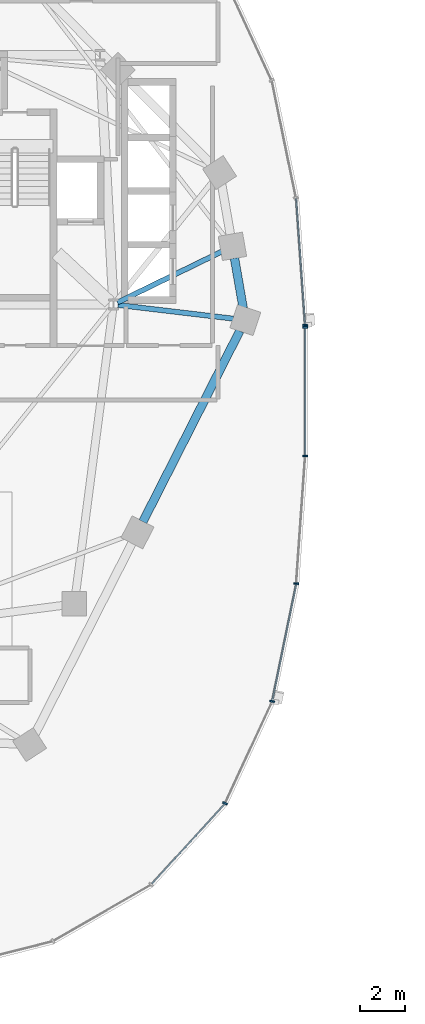
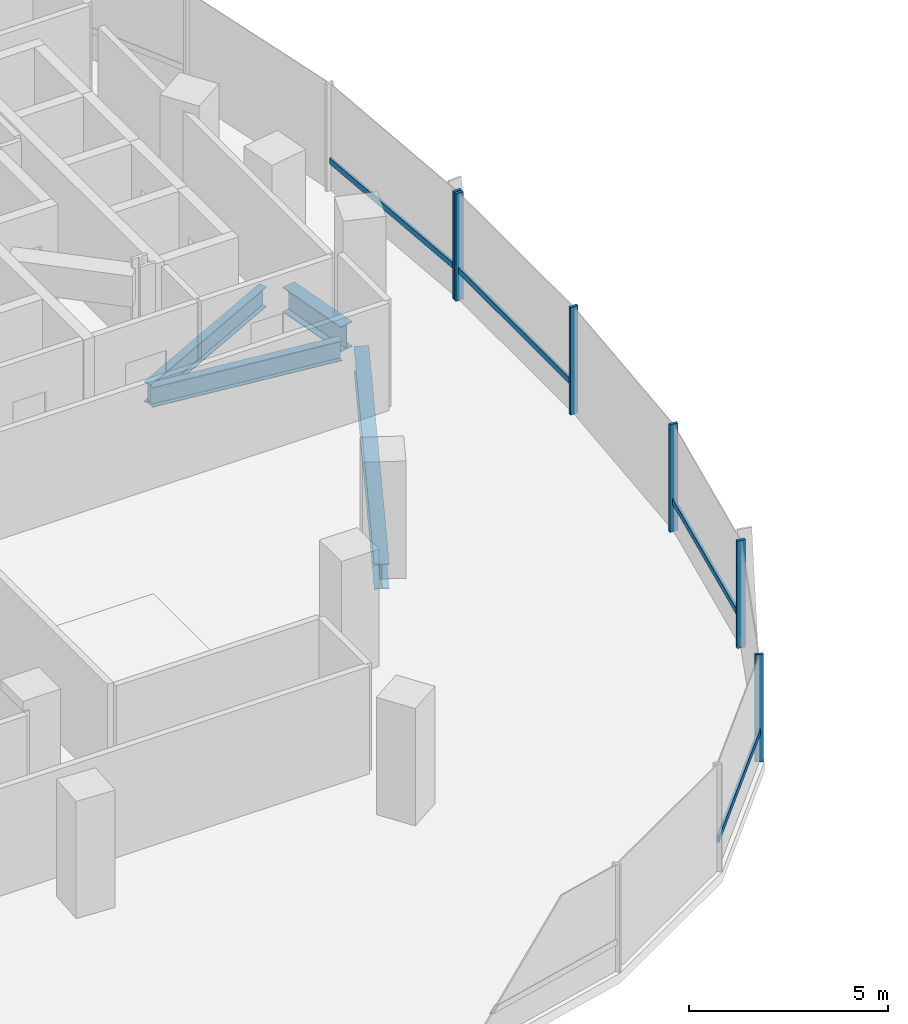
# One storey, part 3 of 21: 10 members, 4 beams, 2 elements without a shape of their own.
"""IFC4 building model written with IfcOpenShell, lengths in metres."""

from ifc_helpers import new_model, si_unit, direction, frame, origin, origin_2d, place, context, subcontext, project, spatial, rectangle, i_section, extrude, material, material_profile, profile_set, type_object, element, aggregate, save


model = new_model("IFC4")

# Units and contexts
model_context = context("Model", 3, precision=1e-05, world=origin(), true_north=direction((0.0, 1.0)))
body_context = subcontext(model_context, "Body", "Model", "MODEL_VIEW")
ifc_project = project(units=[si_unit("LENGTHUNIT", "METRE"), si_unit("AREAUNIT", "SQUARE_METRE"), si_unit("VOLUMEUNIT", "CUBIC_METRE"), si_unit("PLANEANGLEUNIT", "RADIAN"), si_unit("MASSUNIT", "GRAM", prefix="KILO"), si_unit("THERMODYNAMICTEMPERATUREUNIT", "KELVIN"), si_unit("POWERUNIT", "WATT")], contexts=[model_context])

# Site, building, storey
site_placement = place(None, origin())
site = spatial("IfcSite", under=ifc_project, at=site_placement, CompositionType="ELEMENT")
building_placement = place(site_placement, origin())
building = spatial("IfcBuilding", under=site, at=building_placement, Name="Cundina Bronze Exchange", CompositionType="ELEMENT")
storey_placement = place(building_placement, frame((0.0, 0.0, 81.800048828125)))
storey = spatial("IfcBuildingStorey", under=building, at=storey_placement, Name="L20", CompositionType="ELEMENT", Elevation=81.800048828125)

# Beams
ifc_material_1 = material(Name="Steel ASTM A992 Grade 50", Category="steel")
ifc_material_profile_1 = material_profile(ifc_material_1, i_section(OverallWidth=0.22998046875, OverallDepth=0.616943359375, WebThickness=0.01318359375, FlangeThickness=0.022216796875, FilletRadius=0.013916015625, at=origin_2d()), Name="W24X94", Category="steel")
ifc_profile_set_1 = profile_set([ifc_material_profile_1], Name="Steel ASTM A992 Grade 50")
beam_type_1 = type_object("IfcBeamType", Name="BM-FLR-W24B", PredefinedType="BEAM", material=ifc_profile_set_1)
beam_1_placement = place(storey_placement, frame((-21.247314453125, 3.8759765625, -0.608642578125), z_axis=(0.993035701683, -0.117813815752, 0.0), x_axis=(0.117813815752, 0.993035701683, 0.0)))
element("IfcBeam", 1, at=beam_1_placement, inside=storey, type_object=beam_type_1, Name="L20 Leg W Radial Floor Beam 00", PredefinedType="BEAM", context=body_context, shape_type="SweptSolid", body=[
    extrude(i_section(OverallWidth=0.22998046875, OverallDepth=0.616943359375, WebThickness=0.01318359375, FlangeThickness=0.022216796875, FilletRadius=0.013916015625, at=origin_2d()), origin(), (0.0, 0.0, 1.0), 5.19921875),
])
beam_2_placement = place(storey_placement, frame((-21.2666015625, 3.989501953125, -0.608642578125), z_axis=(0.898607246385, 0.438753936443, 0.0), x_axis=(-0.438753936443, 0.898607246385, 0.0)))
element("IfcBeam", 2, at=beam_2_placement, inside=storey, type_object=beam_type_1, Name="L20 Leg W Radial Floor Beam 01", PredefinedType="BEAM", context=body_context, shape_type="SweptSolid", body=[
    extrude(i_section(OverallWidth=0.22998046875, OverallDepth=0.616943359375, WebThickness=0.01318359375, FlangeThickness=0.022216796875, FilletRadius=0.013916015625, at=origin_2d()), origin(), (0.0, 0.0, 1.0), 5.183837890625),
])
ifc_material_profile_2 = material_profile(ifc_material_1, i_section(OverallWidth=0.381103515625, OverallDepth=0.77294921875, WebThickness=0.0166015625, FlangeThickness=0.027099609375, FilletRadius=0.01904296875, at=origin_2d()), Name="W30X173", Category="steel")
ifc_profile_set_2 = profile_set([ifc_material_profile_2], Name="Steel ASTM A992 Grade 50")
beam_type_2 = type_object("IfcBeamType", Name="BM-RING-W30", PredefinedType="USERDEFINED", material=ifc_profile_set_2)
beam_3_placement = place(storey_placement, frame((-15.642333984375, 3.72998046875, -0.6865234375), z_axis=(-0.171690078326, 0.985151012284, 0.0), x_axis=(-0.985151012284, -0.171690078326, 0.0)))
element("IfcBeam", 3, at=beam_3_placement, inside=storey, type_object=beam_type_2, Name="L20 W Perimeter Ring Girder 00", ObjectType="GIRDER", PredefinedType="USERDEFINED", context=body_context, shape_type="SweptSolid", body=[
    extrude(i_section(OverallWidth=0.381103515625, OverallDepth=0.77294921875, WebThickness=0.0166015625, FlangeThickness=0.027099609375, FilletRadius=0.01904296875, at=origin_2d()), origin(), (0.0, 0.0, 1.0), 2.273681640625),
])
beam_4_placement = place(storey_placement, frame((-20.13134765625, -5.8203125, -0.6865234375), z_axis=(0.452832332744, 0.891595692241, 0.0), x_axis=(-0.891595692241, 0.452832332744, 0.0)))
element("IfcBeam", 4, at=beam_4_placement, inside=storey, type_object=beam_type_2, Name="L20 W Perimeter Ring Girder 13", ObjectType="GIRDER", PredefinedType="USERDEFINED", context=body_context, shape_type="SweptSolid", body=[
    extrude(i_section(OverallWidth=0.381103515625, OverallDepth=0.77294921875, WebThickness=0.0166015625, FlangeThickness=0.027099609375, FilletRadius=0.01904296875, at=origin_2d()), origin(), (0.0, 0.0, 1.0), 9.578857421875),
])

# Curtain wall, member
ifc_material_2 = material(Name="Anodised Bronze Aluminium 6063-T6", Category="aluminium")
curtain_wall_type = type_object("IfcCurtainWallType", Name="CWS-TRD-MID", PredefinedType="NOTDEFINED", material=ifc_material_2)
curtain_wall_1_placement = place(storey_placement, origin())
curtain_wall_1 = element("IfcCurtainWall", 5, at=curtain_wall_1_placement, inside=storey, type_object=curtain_wall_type, Name="L20 CW-03 Curtain Wall Run CWR-L20-W1", PredefinedType="NOTDEFINED")
ifc_material_profile_3 = material_profile(ifc_material_2, rectangle(XDim=0.074951171875, YDim=0.219970703125, at=origin_2d()), Name="AL75X220", Category="aluminium")
ifc_profile_set_3 = profile_set([ifc_material_profile_3], Name="Anodised Bronze Aluminium 6063-T6")
member_type_1 = type_object("IfcMemberType", Name="CWM-MUL-220", PredefinedType="MULLION", material=ifc_profile_set_3)
member_1_placement = place(storey_placement, frame((-12.87548828125, 2.976318359375, 0.0), z_axis=(0.0, 0.0, 1.0), x_axis=(-0.070278787473, 0.997527389113, 0.0)))
member_1 = element("IfcMember", 6, at=member_1_placement, type_object=member_type_1, Name="CW-03 Mullion 1", PredefinedType="MULLION", context=body_context, shape_type="SweptSolid", body=[
    extrude(rectangle(XDim=0.074951171875, YDim=0.219970703125, at=origin_2d()), origin(), (0.0, 0.0, 1.0), 3.300048828125),
])

# Curtain wall, members
curtain_wall_2_placement = place(storey_placement, origin())
curtain_wall_2 = element("IfcCurtainWall", 7, at=curtain_wall_2_placement, inside=storey, type_object=curtain_wall_type, Name="L20 CW-03 Curtain Wall Run CWR-L20-W4", PredefinedType="NOTDEFINED")
member_2_placement = place(storey_placement, frame((-16.455810546875, -18.423583984375, 0.0), z_axis=(0.0, 0.0, 1.0), x_axis=(0.42087749791, 0.907117485088, 0.0)))
member_2 = element("IfcMember", 8, at=member_2_placement, type_object=member_type_1, Name="CW-03 Mullion 4", PredefinedType="MULLION", context=body_context, shape_type="SweptSolid", body=[
    extrude(rectangle(XDim=0.074951171875, YDim=0.219970703125, at=origin_2d()), origin(), (0.0, 0.0, 1.0), 3.300048828125),
])
member_3_placement = place(storey_placement, frame((-14.348876953125, -13.861328125, 0.0), z_axis=(0.0, 0.0, 1.0), x_axis=(0.201419845156, 0.979505000486, 0.0)))
member_3 = element("IfcMember", 9, at=member_3_placement, type_object=member_type_1, Name="CW-03 Mullion 5", PredefinedType="MULLION", context=body_context, shape_type="SweptSolid", body=[
    extrude(rectangle(XDim=0.074951171875, YDim=0.219970703125, at=origin_2d()), origin(), (0.0, 0.0, 1.0), 3.300048828125),
])
member_4_placement = place(storey_placement, frame((-13.27099609375, -8.591552734375, 0.0), z_axis=(0.0, 0.0, 1.0), x_axis=(0.070278787473, 0.997527389113, 0.0)))
member_4 = element("IfcMember", 10, at=member_4_placement, type_object=member_type_1, Name="CW-03 Mullion 6", PredefinedType="MULLION", context=body_context, shape_type="SweptSolid", body=[
    extrude(rectangle(XDim=0.074951171875, YDim=0.219970703125, at=origin_2d()), origin(), (0.0, 0.0, 1.0), 3.300048828125),
])
member_5_placement = place(storey_placement, frame((-12.8720703125, -2.880615234375, 0.0), z_axis=(0.0, 0.0, 1.0), x_axis=(0.0, 1.0, 0.0)))
member_5 = element("IfcMember", 11, at=member_5_placement, type_object=member_type_1, Name="CW-03 Mullion 7", PredefinedType="MULLION", context=body_context, shape_type="SweptSolid", body=[
    extrude(rectangle(XDim=0.074951171875, YDim=0.219970703125, at=origin_2d()), origin(), (0.0, 0.0, 1.0), 3.300048828125),
])
member_6_placement = place(storey_placement, frame((-12.8720703125, 2.880615234375, 0.0), z_axis=(0.0, 0.0, 1.0), x_axis=(0.0, 1.0, 0.0)))
member_6 = element("IfcMember", 12, at=member_6_placement, type_object=member_type_1, Name="CW-03 End Mullion", PredefinedType="MULLION", context=body_context, shape_type="SweptSolid", body=[
    extrude(rectangle(XDim=0.074951171875, YDim=0.219970703125, at=origin_2d()), origin(), (0.0, 0.0, 1.0), 3.300048828125),
])

# Member
ifc_material_profile_4 = material_profile(ifc_material_2, rectangle(XDim=0.070068359375, YDim=0.179931640625, at=origin_2d()), Name="AL70X180", Category="aluminium")
ifc_profile_set_4 = profile_set([ifc_material_profile_4], Name="Anodised Bronze Aluminium 6063-T6")
member_type_2 = type_object("IfcMemberType", Name="CWM-TRN-180", PredefinedType="USERDEFINED", material=ifc_profile_set_4)
member_7_placement = place(storey_placement, frame((-12.87841796875, 3.017333984375, 0.919921875), z_axis=(-0.070260714471, 0.997528662246, 0.0), x_axis=(-0.997528662246, -0.070260714471, 0.0)))
member_7 = element("IfcMember", 13, at=member_7_placement, type_object=member_type_2, Name="CW-03 Spandrel Transom 1", ObjectType="TRANSOM", PredefinedType="USERDEFINED", context=body_context, shape_type="SweptSolid", body=[
    extrude(rectangle(XDim=0.070068359375, YDim=0.179931640625, at=origin_2d()), origin(), (0.0, 0.0, 1.0), 5.629150390625),
])

aggregate(curtain_wall_1, [member_1, member_7])

member_8_placement = place(storey_placement, frame((-19.73291015625, -22.027099609375, 0.919921875), z_axis=(0.674302794847, 0.738454968743, 0.0), x_axis=(-0.738454968743, 0.674302794847, 0.0)))
member_8 = element("IfcMember", 14, at=member_8_placement, type_object=member_type_2, Name="CW-03 Spandrel Transom 3", ObjectType="TRANSOM", PredefinedType="USERDEFINED", context=body_context, shape_type="SweptSolid", body=[
    extrude(rectangle(XDim=0.070068359375, YDim=0.179931640625, at=origin_2d()), origin(), (0.0, 0.0, 1.0), 4.848388671875),
])

member_9_placement = place(storey_placement, frame((-14.340576171875, -13.821044921875, 0.919921875), z_axis=(0.201427712708, 0.979503382615, 0.0), x_axis=(-0.979503382615, 0.201427712708, 0.0)))
member_9 = element("IfcMember", 15, at=member_9_placement, type_object=member_type_2, Name="CW-03 Spandrel Transom 5", ObjectType="TRANSOM", PredefinedType="USERDEFINED", context=body_context, shape_type="SweptSolid", body=[
    extrude(rectangle(XDim=0.070068359375, YDim=0.179931640625, at=origin_2d()), origin(), (0.0, 0.0, 1.0), 5.291748046875),
])

member_10_placement = place(storey_placement, frame((-12.8720703125, -2.839111328125, 0.919921875), z_axis=(0.0, 1.0, 0.0), x_axis=(-1.0, 0.0, 0.0)))
member_10 = element("IfcMember", 16, at=member_10_placement, type_object=member_type_2, Name="CW-03 Spandrel Transom 7", ObjectType="TRANSOM", PredefinedType="USERDEFINED", context=body_context, shape_type="SweptSolid", body=[
    extrude(rectangle(XDim=0.070068359375, YDim=0.179931640625, at=origin_2d()), origin(), (0.0, 0.0, 1.0), 5.67822265625),
])

aggregate(curtain_wall_2, [member_8, member_2, member_3, member_9, member_4, member_5, member_6, member_10])

save(model, "model.ifc")
